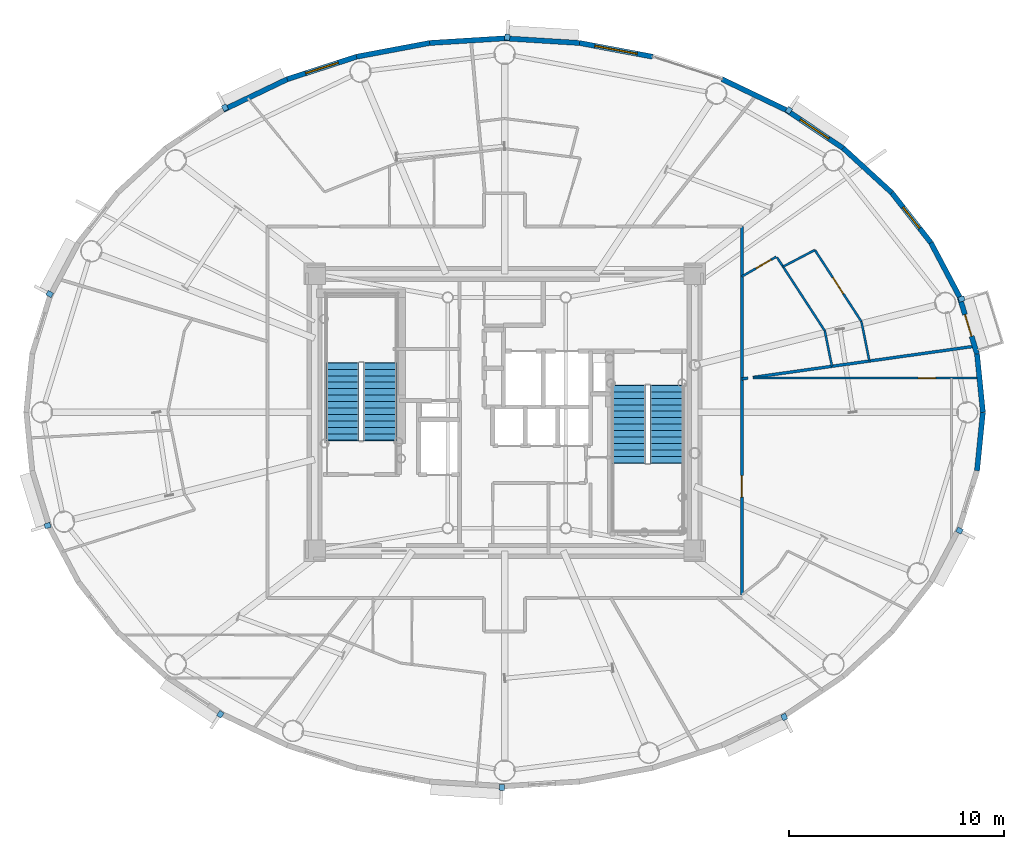
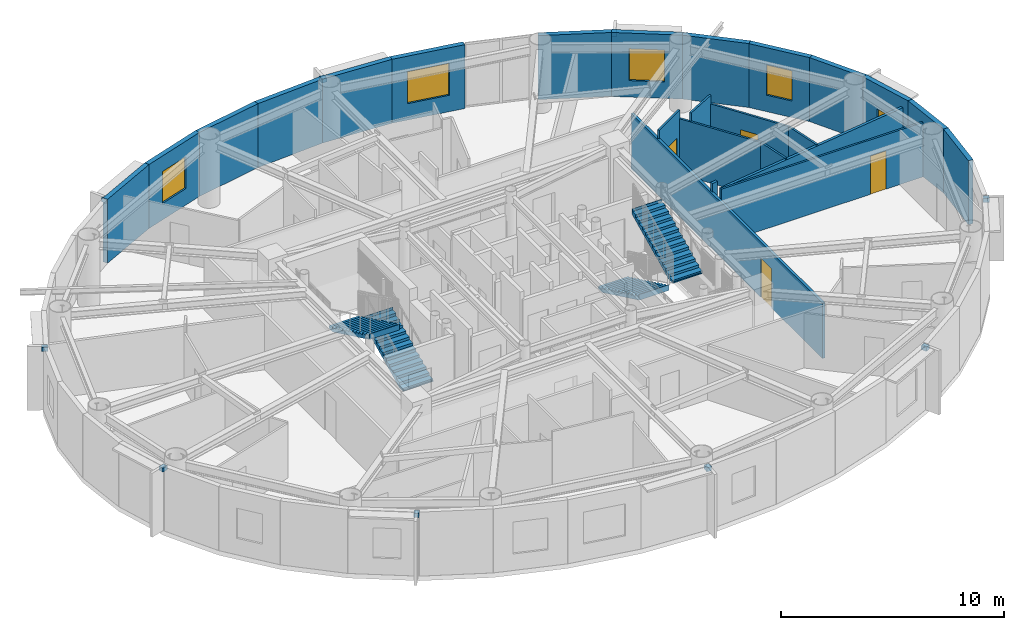
# One storey, part 11 of 18: 24 walls, 10 discrete accessories, 5 doors, 4 stair flights, 4 windows, 9 openings, 2 elements without a shape of their own.
"""IFC4 building model written with IfcOpenShell, lengths in metres."""

from ifc_helpers import new_model, si_unit, direction, frame, frame_2d, origin, origin_2d, place, context, subcontext, project, spatial, polyline, rectangle, outline, extrude, source, transform, mapped, material, layer, layer_set, type_object, element, fill, aggregate, save


model = new_model("IFC4")

# Units and contexts
model_context = context("Model", 3, precision=1e-05, world=origin(), true_north=direction((0.0, 1.0)))
body_context = subcontext(model_context, "Body", "Model", "MODEL_VIEW")
ifc_project = project(units=[si_unit("LENGTHUNIT", "METRE"), si_unit("AREAUNIT", "SQUARE_METRE"), si_unit("VOLUMEUNIT", "CUBIC_METRE"), si_unit("PLANEANGLEUNIT", "RADIAN"), si_unit("MASSUNIT", "GRAM", prefix="KILO")], contexts=[model_context])

# Site, building, storey
site_placement = place(None, origin())
site = spatial("IfcSite", under=ifc_project, at=site_placement, CompositionType="ELEMENT")
building_placement = place(site_placement, origin())
building = spatial("IfcBuilding", under=site, at=building_placement, Name="Linh Dai School and Residence Tower", CompositionType="ELEMENT")
storey_placement = place(building_placement, frame((0.0, 0.0, 273.0)))
storey = spatial("IfcBuildingStorey", under=building, at=storey_placement, Name="L67", CompositionType="ELEMENT", Elevation=273.0)

# Wall
ifc_material_1 = material(Name="Precast Concrete B45 (C35/45)", Category="concrete")
ifc_layer_1 = layer(ifc_material_1, 0.239990234375)
ifc_layer_set_1 = layer_set([ifc_layer_1], Name="Precast Concrete B45 (C35/45)")
wall_type_1 = type_object("IfcWallType", Name="EW-TC-240", PredefinedType="SOLIDWALL", material=ifc_layer_set_1)
wall_1_placement = place(storey_placement, frame((58.001708984375, 29.718994140625, 0.0), z_axis=(0.0, 0.0, 1.0), x_axis=(0.099972526841, -0.99499019788, 0.0)))
element("IfcWall", 1, at=wall_1_placement, inside=storey, type_object=wall_type_1, Name="L67 Terracotta Exterior Wall 01", PredefinedType="SOLIDWALL", context=body_context, shape_type="SweptSolid", body=[
    extrude(rectangle(XDim=2.732666015625, YDim=0.239990234375, at=frame_2d((1.3662109375, 0.0))), origin(), (0.0, 0.0, 1.0), 3.5),
])

# Wall, opening, door
wall_2_placement = place(storey_placement, frame((57.188232421875, 32.372314453125, 0.0), z_axis=(0.0, 0.0, 1.0), x_axis=(0.2931213403, -0.956075248012, 0.0)))
wall_2 = element("IfcWall", 2, at=wall_2_placement, inside=storey, type_object=wall_type_1, Name="L67 Terracotta Exterior Wall 02", PredefinedType="SOLIDWALL", context=body_context, shape_type="SweptSolid", body=[
    extrude(rectangle(XDim=2.775146484375, YDim=0.239990234375, at=frame_2d((1.3876953125, 0.0))), origin(), (0.0, 0.0, 1.0), 3.5),
])
opening_1_placement = place(wall_2_placement, frame((0.862548828125, 0.0, 0.0)))
opening_1 = element("IfcOpeningElement", 3, at=opening_1_placement, cuts=wall_2, Name="Opening BD1", PredefinedType="OPENING", context=body_context, shape_type="SweptSolid", body=[
    extrude(rectangle(XDim=1.050048828125, YDim=2.14990234375, at=origin_2d()), frame((0.52490234375, 0.1298828125, 1.074951171875), z_axis=(0.0, -1.0, 0.0), x_axis=(1.0, 0.0, 0.0)), (0.0, 0.0, 1.0), 0.260009765625),
])
ifc_material_2 = material(Name="Double-Glazed Balcony Door", Category="glass")
door_type_1 = type_object("IfcDoorType", Name="DR-BALC-1050x2150", OperationType="NOTDEFINED", PredefinedType="DOOR", material=ifc_material_2)
shared_shape_1 = source(origin(), body_context, "Body", "SweptSolid", [
    extrude(rectangle(XDim=1.050048828125, YDim=2.14990234375, at=origin_2d()), frame((0.52490234375, 0.02490234375, 1.074951171875), z_axis=(0.0, -1.0, 0.0), x_axis=(1.0, 0.0, 0.0)), (0.0, 0.0, 1.0), 0.050048828125),
])
door_1_placement = place(opening_1_placement, origin())
door_1 = element("IfcDoor", 4, at=door_1_placement, inside=storey, type_object=door_type_1, Name="L67 Glazed Balcony Door 02", OperationType="SINGLE_SWING_RIGHT", OverallHeight=2.14990234375, OverallWidth=1.050048828125, PredefinedType="DOOR", context=body_context, shape_type="MappedRepresentation", body=[
    mapped(shared_shape_1, transform((0.0, 0.0, 0.0), x_axis=(1.0, 0.0, 0.0), y_axis=(0.0, 1.0, 0.0), z_axis=(0.0, 0.0, 1.0), scale=1.0)),
])
fill(opening_1, door_1)

# Wall
wall_3_placement = place(storey_placement, frame((55.853759765625, 34.894775390625, 0.0), z_axis=(0.0, 0.0, 1.0), x_axis=(0.467628269026, -0.883925224218, 0.0)))
element("IfcWall", 5, at=wall_3_placement, inside=storey, type_object=wall_type_1, Name="L67 Terracotta Exterior Wall 03", PredefinedType="SOLIDWALL", context=body_context, shape_type="SweptSolid", body=[
    extrude(rectangle(XDim=2.853759765625, YDim=0.239990234375, at=frame_2d((1.4267578125, 0.0))), origin(), (0.0, 0.0, 1.0), 3.5),
])

# Wall, opening, window
wall_4_placement = place(storey_placement, frame((54.0302734375, 37.224609375, 0.0), z_axis=(0.0, 0.0, 1.0), x_axis=(0.616337186556, -0.787482363275, 0.0)))
wall_4 = element("IfcWall", 6, at=wall_4_placement, inside=storey, type_object=wall_type_1, Name="L67 Terracotta Exterior Wall 04", PredefinedType="SOLIDWALL", context=body_context, shape_type="SweptSolid", body=[
    extrude(rectangle(XDim=2.95849609375, YDim=0.239990234375, at=frame_2d((1.479248046875, 0.0))), origin(), (0.0, 0.0, 1.0), 3.5),
])
opening_2_placement = place(wall_4_placement, frame((0.85400390625, 0.0, 0.89990234375)))
opening_2 = element("IfcOpeningElement", 7, at=opening_2_placement, cuts=wall_4, Name="Opening W3", PredefinedType="OPENING", context=body_context, shape_type="SweptSolid", body=[
    extrude(rectangle(XDim=1.25, YDim=1.64990234375, at=origin_2d()), frame((0.625, 0.1298828125, 0.824951171875), z_axis=(0.0, -1.0, 0.0), x_axis=(1.0, 0.0, 0.0)), (0.0, 0.0, 1.0), 0.260009765625),
])
ifc_material_3 = material(Name="Double Low-E Insulated Glazing", Category="glass")
window_type_1 = type_object("IfcWindowType", Name="WN-RES-1250x1650", PartitioningType="SINGLE_PANEL", PredefinedType="WINDOW", material=ifc_material_3)
shared_shape_2 = source(origin(), body_context, "Body", "SweptSolid", [
    extrude(rectangle(XDim=1.25, YDim=1.64990234375, at=origin_2d()), frame((0.625, 0.030029296875, 0.824951171875), z_axis=(0.0, -1.0, 0.0), x_axis=(1.0, 0.0, 0.0)), (0.0, 0.0, 1.0), 0.06005859375),
])
window_1_placement = place(opening_2_placement, origin())
window_1 = element("IfcWindow", 8, at=window_1_placement, inside=storey, type_object=window_type_1, Name="L67 Exterior Window 04.1", OverallHeight=1.64990234375, OverallWidth=1.25, PartitioningType="SINGLE_PANEL", PredefinedType="WINDOW", context=body_context, shape_type="MappedRepresentation", body=[
    mapped(shared_shape_2, transform((0.0, 0.0, 0.0), x_axis=(1.0, 0.0, 0.0), y_axis=(0.0, 1.0, 0.0), z_axis=(0.0, 0.0, 1.0), scale=1.0)),
])
fill(opening_2, window_1)

# Wall
wall_5_placement = place(storey_placement, frame((51.76220703125, 39.30419921875, 0.0), z_axis=(0.0, 0.0, 1.0), x_axis=(0.737068506972, -0.675818034703, 0.0)))
element("IfcWall", 9, at=wall_5_placement, inside=storey, type_object=wall_type_1, Name="L67 Terracotta Exterior Wall 05", PredefinedType="SOLIDWALL", context=body_context, shape_type="SweptSolid", body=[
    extrude(rectangle(XDim=3.0771484375, YDim=0.239990234375, at=frame_2d((1.53857421875, 0.0))), origin(), (0.0, 0.0, 1.0), 3.5),
])

# Wall, opening, window
wall_6_placement = place(storey_placement, frame((49.1044921875, 41.08154296875, 0.0), z_axis=(0.0, 0.0, 1.0), x_axis=(0.831250592635, -0.55589787933, 0.0)))
wall_6 = element("IfcWall", 10, at=wall_6_placement, inside=storey, type_object=wall_type_1, Name="L67 Terracotta Exterior Wall 06", PredefinedType="SOLIDWALL", context=body_context, shape_type="SweptSolid", body=[
    extrude(rectangle(XDim=3.197265625, YDim=0.239990234375, at=frame_2d((1.5986328125, 0.0))), origin(), (0.0, 0.0, 1.0), 3.5),
])
opening_3_placement = place(wall_6_placement, frame((0.79833984375, 0.0, 0.89990234375)))
opening_3 = element("IfcOpeningElement", 11, at=opening_3_placement, cuts=wall_6, Name="Opening W2", PredefinedType="OPENING", context=body_context, shape_type="SweptSolid", body=[
    extrude(rectangle(XDim=1.60009765625, YDim=1.75, at=origin_2d()), frame((0.800048828125, 0.1298828125, 0.875), z_axis=(0.0, -1.0, 0.0), x_axis=(1.0, 0.0, 0.0)), (0.0, 0.0, 1.0), 0.260009765625),
])
window_type_2 = type_object("IfcWindowType", Name="WN-RES-1600x1750", PartitioningType="DOUBLE_PANEL_VERTICAL", PredefinedType="WINDOW", material=ifc_material_3)
shared_shape_3 = source(origin(), body_context, "Body", "SweptSolid", [
    extrude(rectangle(XDim=1.60009765625, YDim=1.75, at=origin_2d()), frame((0.800048828125, 0.030029296875, 0.875), z_axis=(0.0, -1.0, 0.0), x_axis=(1.0, 0.0, 0.0)), (0.0, 0.0, 1.0), 0.06005859375),
])
window_2_placement = place(opening_3_placement, origin())
window_2 = element("IfcWindow", 12, at=window_2_placement, inside=storey, type_object=window_type_2, Name="L67 Exterior Window 06.1", OverallHeight=1.75, OverallWidth=1.60009765625, PartitioningType="DOUBLE_PANEL_VERTICAL", PredefinedType="WINDOW", context=body_context, shape_type="MappedRepresentation", body=[
    mapped(shared_shape_3, transform((0.0, 0.0, 0.0), x_axis=(1.0, 0.0, 0.0), y_axis=(0.0, 1.0, 0.0), z_axis=(0.0, 0.0, 1.0), scale=1.0)),
])
fill(opening_3, window_2)

# Wall
wall_7_placement = place(storey_placement, frame((46.123046875, 42.51220703125, 0.0), z_axis=(0.0, 0.0, 1.0), x_axis=(0.901573741254, -0.43262546051, 0.0)))
element("IfcWall", 13, at=wall_7_placement, inside=storey, type_object=wall_type_1, Name="L67 Terracotta Exterior Wall 07", PredefinedType="SOLIDWALL", context=body_context, shape_type="SweptSolid", body=[
    extrude(rectangle(XDim=3.306884765625, YDim=0.239990234375, at=frame_2d((1.6533203125, 0.0))), origin(), (0.0, 0.0, 1.0), 3.5),
])

# Wall, opening, window
wall_8_placement = place(storey_placement, frame((39.48876953125, 44.199951171875, 0.0), z_axis=(0.0, 0.0, 1.0), x_axis=(0.982782655757, -0.184765395959, 0.0)))
wall_8 = element("IfcWall", 14, at=wall_8_placement, inside=storey, type_object=wall_type_1, Name="L67 Terracotta Exterior Wall 09", PredefinedType="SOLIDWALL", context=body_context, shape_type="SweptSolid", body=[
    extrude(rectangle(XDim=3.4619140625, YDim=0.239990234375, at=frame_2d((1.73095703125, 0.0))), origin(), (0.0, 0.0, 1.0), 3.5),
])
opening_4_placement = place(wall_8_placement, frame((0.73095703125, 0.0, 0.89990234375)))
opening_4 = element("IfcOpeningElement", 15, at=opening_4_placement, cuts=wall_8, Name="Opening W1", PredefinedType="OPENING", context=body_context, shape_type="SweptSolid", body=[
    extrude(rectangle(XDim=2.0, YDim=1.75, at=origin_2d()), frame((1.0, 0.1298828125, 0.875), z_axis=(0.0, -1.0, 0.0), x_axis=(1.0, 0.0, 0.0)), (0.0, 0.0, 1.0), 0.260009765625),
])
window_type_3 = type_object("IfcWindowType", Name="WN-RES-2000x1750", PartitioningType="DOUBLE_PANEL_VERTICAL", PredefinedType="WINDOW", material=ifc_material_3)
shared_shape_4 = source(origin(), body_context, "Body", "SweptSolid", [
    extrude(rectangle(XDim=2.0, YDim=1.75, at=origin_2d()), frame((1.0, 0.030029296875, 0.875), z_axis=(0.0, -1.0, 0.0), x_axis=(1.0, 0.0, 0.0)), (0.0, 0.0, 1.0), 0.06005859375),
])
window_3_placement = place(opening_4_placement, origin())
window_3 = element("IfcWindow", 16, at=window_3_placement, inside=storey, type_object=window_type_3, Name="L67 Exterior Window 09.1", OverallHeight=1.75, OverallWidth=2.0, PartitioningType="DOUBLE_PANEL_VERTICAL", PredefinedType="WINDOW", context=body_context, shape_type="MappedRepresentation", body=[
    mapped(shared_shape_4, transform((0.0, 0.0, 0.0), x_axis=(1.0, 0.0, 0.0), y_axis=(0.0, 1.0, 0.0), z_axis=(0.0, 0.0, 1.0), scale=1.0)),
])
fill(opening_4, window_3)

# Walls
for number, where, z_axis, x_axis, name in (
    (17, (36.0, 44.4150390625, 0.0), (0.0, 0.0, 1.0), (0.998104946479, -0.061534671648, 0.0), "L67 Terracotta Exterior Wall 10"),
    (18, (32.51123046875, 44.199951171875, 0.0), (0.0, 0.0, 1.0), (0.998104946479, 0.061534671648, 0.0), "L67 Terracotta Exterior Wall 11"),
):
    element("IfcWall", number, at=place(storey_placement, frame(where, z_axis=z_axis, x_axis=x_axis)), inside=storey, type_object=wall_type_1, Name=name, PredefinedType="SOLIDWALL", context=body_context, shape_type="SweptSolid", body=[
        extrude(rectangle(XDim=3.495361328125, YDim=0.239990234375, at=frame_2d((1.74755859375, 0.0))), origin(), (0.0, 0.0, 1.0), 3.5),
    ])
wall_9_placement = place(storey_placement, frame((29.10888671875, 43.560302734375, 0.0), z_axis=(0.0, 0.0, 1.0), x_axis=(0.982782655757, 0.184765395959, 0.0)))
element("IfcWall", 19, at=wall_9_placement, inside=storey, type_object=wall_type_1, Name="L67 Terracotta Exterior Wall 12", PredefinedType="SOLIDWALL", context=body_context, shape_type="SweptSolid", body=[
    extrude(rectangle(XDim=3.4619140625, YDim=0.239990234375, at=frame_2d((1.73095703125, 0.0))), origin(), (0.0, 0.0, 1.0), 3.5),
])

# Wall, opening, window
wall_10_placement = place(storey_placement, frame((25.876953125, 42.51220703125, 0.0), z_axis=(0.0, 0.0, 1.0), x_axis=(0.95123136723, 0.308478339592, 0.0)))
wall_10 = element("IfcWall", 20, at=wall_10_placement, inside=storey, type_object=wall_type_1, Name="L67 Terracotta Exterior Wall 13", PredefinedType="SOLIDWALL", context=body_context, shape_type="SweptSolid", body=[
    extrude(rectangle(XDim=3.397705078125, YDim=0.239990234375, at=frame_2d((1.69873046875, 0.0))), origin(), (0.0, 0.0, 1.0), 3.5),
])
opening_5_placement = place(wall_10_placement, frame((0.89892578125, 0.0, 0.89990234375)))
opening_5 = element("IfcOpeningElement", 21, at=opening_5_placement, cuts=wall_10, Name="Opening W2", PredefinedType="OPENING", context=body_context, shape_type="SweptSolid", body=[
    extrude(rectangle(XDim=1.60009765625, YDim=1.75, at=origin_2d()), frame((0.800048828125, 0.1298828125, 0.875), z_axis=(0.0, -1.0, 0.0), x_axis=(1.0, 0.0, 0.0)), (0.0, 0.0, 1.0), 0.260009765625),
])
window_4_placement = place(opening_5_placement, origin())
window_4 = element("IfcWindow", 22, at=window_4_placement, inside=storey, type_object=window_type_2, Name="L67 Exterior Window 13.1", OverallHeight=1.75, OverallWidth=1.60009765625, PartitioningType="DOUBLE_PANEL_VERTICAL", PredefinedType="WINDOW", context=body_context, shape_type="MappedRepresentation", body=[
    mapped(shared_shape_3, transform((0.0, 0.0, 0.0), x_axis=(1.0, 0.0, 0.0), y_axis=(0.0, 1.0, 0.0), z_axis=(0.0, 0.0, 1.0), scale=1.0)),
])
fill(opening_5, window_4)

# Walls
wall_11_placement = place(storey_placement, frame((22.8955078125, 41.08154296875, 0.0), z_axis=(0.0, 0.0, 1.0), x_axis=(0.901573741254, 0.43262546051, 0.0)))
element("IfcWall", 23, at=wall_11_placement, inside=storey, type_object=wall_type_1, Name="L67 Terracotta Exterior Wall 14", PredefinedType="SOLIDWALL", context=body_context, shape_type="SweptSolid", body=[
    extrude(rectangle(XDim=3.306884765625, YDim=0.239990234375, at=frame_2d((1.6533203125, 0.0))), origin(), (0.0, 0.0, 1.0), 3.5),
])
wall_12_placement = place(storey_placement, frame((58.27490234375, 27.0, 0.0), z_axis=(0.0, 0.0, 1.0), x_axis=(-0.099972526841, -0.99499019788, 0.0)))
element("IfcWall", 24, at=wall_12_placement, inside=storey, type_object=wall_type_1, Name="L67 Terracotta Exterior Wall 40", PredefinedType="SOLIDWALL", context=body_context, shape_type="SweptSolid", body=[
    extrude(rectangle(XDim=2.732666015625, YDim=0.239990234375, at=frame_2d((1.3662109375, 0.0))), origin(), (0.0, 0.0, 1.0), 3.5),
])

# Wall, opening, door
ifc_material_4 = material(Name="Autoclaved Aerated Concrete Blockwork", Category="masonry")
ifc_layer_2 = layer(ifc_material_4, 0.135009765625)
ifc_layer_set_2 = layer_set([ifc_layer_2], Name="Autoclaved Aerated Concrete Blockwork")
wall_type_2 = type_object("IfcWallType", Name="IW-CORR-135-EI90", PredefinedType="PARTITIONING", material=ifc_layer_set_2)
wall_13_placement = place(storey_placement, frame((47.050048828125, 18.502685546875, 0.0), z_axis=(0.0, 0.0, 1.0), x_axis=(0.0, 1.0, 0.0)))
wall_13 = element("IfcWall", 25, at=wall_13_placement, inside=storey, type_object=wall_type_2, Name="L67 Interior Partition Wall 076", PredefinedType="PARTITIONING", context=body_context, shape_type="SweptSolid", body=[
    extrude(rectangle(XDim=17.147216796875, YDim=0.135009765625, at=frame_2d((8.57373046875, 0.0))), origin(), (0.0, 0.0, 1.0), 3.034912109375),
])
opening_6_placement = place(wall_13_placement, frame((4.545166015625, 0.0, 0.0)))
opening_6 = element("IfcOpeningElement", 26, at=opening_6_placement, cuts=wall_13, Name="Opening D03", PredefinedType="OPENING", context=body_context, shape_type="SweptSolid", body=[
    extrude(rectangle(XDim=1.0, YDim=2.14990234375, at=origin_2d()), frame((0.5, 0.07763671875, 1.074951171875), z_axis=(0.0, -1.0, 0.0), x_axis=(1.0, 0.0, 0.0)), (0.0, 0.0, 1.0), 0.155029296875),
])
ifc_material_5 = material(Name="Fire-Rated Solid Timber Entrance Door", Category="wood")
door_type_2 = type_object("IfcDoorType", Name="DR-FLAT-1000x2150-FD60S", OperationType="NOTDEFINED", PredefinedType="DOOR", material=ifc_material_5)
shared_shape_5 = source(origin(), body_context, "Body", "SweptSolid", [
    extrude(rectangle(XDim=1.0, YDim=2.14990234375, at=origin_2d()), frame((0.5, 0.02490234375, 1.074951171875), z_axis=(0.0, -1.0, 0.0), x_axis=(1.0, 0.0, 0.0)), (0.0, 0.0, 1.0), 0.050048828125),
])
door_2_placement = place(opening_6_placement, origin())
door_2 = element("IfcDoor", 27, at=door_2_placement, inside=storey, type_object=door_type_2, Name="L67 U6706 Apartment Entrance Door", OperationType="SINGLE_SWING_RIGHT", OverallHeight=2.14990234375, OverallWidth=1.0, PredefinedType="DOOR", context=body_context, shape_type="MappedRepresentation", body=[
    mapped(shared_shape_5, transform((0.0, 0.0, 0.0), x_axis=(1.0, 0.0, 0.0), y_axis=(0.0, 1.0, 0.0), z_axis=(0.0, 0.0, 1.0), scale=1.0)),
])
fill(opening_6, door_2)

# Walls
wall_14_placement = place(storey_placement, frame((47.050048828125, 28.552978515625, 0.0), z_axis=(0.0, 0.0, 1.0), x_axis=(0.990308552968, 0.138884736087, 0.0)))
element("IfcWall", 28, at=wall_14_placement, inside=storey, type_object=wall_type_2, Name="L67 Interior Partition Wall 078", PredefinedType="PARTITIONING", context=body_context, shape_type="SweptSolid", body=[
    extrude(rectangle(XDim=0.282958984375, YDim=0.135009765625, at=frame_2d((0.1416015625, 0.0))), origin(), (0.0, 0.0, 1.0), 3.5),
])
wall_15_placement = place(storey_placement, frame((47.56201171875, 28.625, 0.0), z_axis=(0.0, 0.0, 1.0), x_axis=(0.990269276455, 0.139164507362, 0.0)))
element("IfcWall", 29, at=wall_15_placement, inside=storey, type_object=wall_type_2, Name="L67 Interior Partition Wall 080", PredefinedType="PARTITIONING", context=body_context, shape_type="SweptSolid", body=[
    extrude(rectangle(XDim=10.4365234375, YDim=0.135009765625, at=frame_2d((5.21826171875, 0.0))), origin(), (0.0, 0.0, 1.0), 2.985107421875),
])

# Wall, opening, door
ifc_material_6 = material(Name="Gypsum Plasterboard Acoustic Stud Partition", Category="masonry")
ifc_layer_3 = layer(ifc_material_6, 0.10009765625)
ifc_layer_set_3 = layer_set([ifc_layer_3], Name="Gypsum Plasterboard Acoustic Stud Partition")
wall_type_3 = type_object("IfcWallType", Name="IW-UNIT-100", PredefinedType="PARTITIONING", material=ifc_layer_set_3)
wall_16_placement = place(storey_placement, frame((47.050048828125, 33.32568359375, 0.0), z_axis=(0.0, 0.0, 1.0), x_axis=(0.867827775188, 0.496865125172, 0.0)))
wall_16 = element("IfcWall", 30, at=wall_16_placement, inside=storey, type_object=wall_type_3, Name="L67 Interior Partition Wall 079", PredefinedType="PARTITIONING", context=body_context, shape_type="SweptSolid", body=[
    extrude(rectangle(XDim=1.845947265625, YDim=0.10009765625, at=frame_2d((0.9228515625, 0.0))), origin(), (0.0, 0.0, 1.0), 3.5),
])
opening_7_placement = place(wall_16_placement, frame((0.748779296875, 0.0, 0.0)))
opening_7 = element("IfcOpeningElement", 31, at=opening_7_placement, cuts=wall_16, Name="Opening D06", PredefinedType="OPENING", context=body_context, shape_type="SweptSolid", body=[
    extrude(rectangle(XDim=0.820068359375, YDim=2.10009765625, at=origin_2d()), frame((0.41015625, 0.06005859375, 1.050048828125), z_axis=(0.0, -1.0, 0.0), x_axis=(1.0, 0.0, 0.0)), (0.0, 0.0, 1.0), 0.1201171875),
])
ifc_material_7 = material(Name="Moisture-Resistant Timber Bathroom Door", Category="wood")
door_type_3 = type_object("IfcDoorType", Name="DR-WET-820x2100", OperationType="NOTDEFINED", PredefinedType="DOOR", material=ifc_material_7)
shared_shape_6 = source(origin(), body_context, "Body", "SweptSolid", [
    extrude(rectangle(XDim=0.820068359375, YDim=2.10009765625, at=origin_2d()), frame((0.41015625, 0.02490234375, 1.050048828125), z_axis=(0.0, -1.0, 0.0), x_axis=(1.0, 0.0, 0.0)), (0.0, 0.0, 1.0), 0.050048828125),
])
door_3_placement = place(opening_7_placement, origin())
door_3 = element("IfcDoor", 32, at=door_3_placement, inside=storey, type_object=door_type_3, Name="L67 Apartment U6701 Bathroom Door", OperationType="SINGLE_SWING_RIGHT", OverallHeight=2.10009765625, OverallWidth=0.820068359375, PredefinedType="DOOR", context=body_context, shape_type="MappedRepresentation", body=[
    mapped(shared_shape_6, transform((0.0, 0.0, 0.0), x_axis=(1.0, 0.0, 0.0), y_axis=(0.0, 1.0, 0.0), z_axis=(0.0, 0.0, 1.0), scale=1.0)),
])
fill(opening_7, door_3)

wall_17_placement = place(storey_placement, frame((47.564453125, 28.59228515625, 0.0), z_axis=(0.0, 0.0, 1.0), x_axis=(1.0, 0.0, 0.0)))
wall_17 = element("IfcWall", 33, at=wall_17_placement, inside=storey, type_object=wall_type_3, Name="L67 Interior Partition Wall 081", PredefinedType="PARTITIONING", context=body_context, shape_type="SweptSolid", body=[
    extrude(rectangle(XDim=10.555419921875, YDim=0.10009765625, at=frame_2d((5.27783203125, 0.0))), origin(), (0.0, 0.0, 1.0), 2.985107421875),
])
opening_8_placement = place(wall_17_placement, frame((7.69482421875, 0.0, 0.0)))
opening_8 = element("IfcOpeningElement", 34, at=opening_8_placement, cuts=wall_17, Name="Opening D06", PredefinedType="OPENING", context=body_context, shape_type="SweptSolid", body=[
    extrude(rectangle(XDim=0.820068359375, YDim=2.10009765625, at=origin_2d()), frame((0.41015625, 0.06005859375, 1.050048828125), z_axis=(0.0, -1.0, 0.0), x_axis=(1.0, 0.0, 0.0)), (0.0, 0.0, 1.0), 0.1201171875),
])
door_4_placement = place(opening_8_placement, origin())
door_4 = element("IfcDoor", 35, at=door_4_placement, inside=storey, type_object=door_type_3, Name="L67 Apartment U6706 Bathroom 1 Door", OperationType="SINGLE_SWING_RIGHT", OverallHeight=2.10009765625, OverallWidth=0.820068359375, PredefinedType="DOOR", context=body_context, shape_type="MappedRepresentation", body=[
    mapped(shared_shape_6, transform((0.0, 0.0, 0.0), x_axis=(1.0, 0.0, 0.0), y_axis=(0.0, 1.0, 0.0), z_axis=(0.0, 0.0, 1.0), scale=1.0)),
])
fill(opening_8, door_4)

# Walls
wall_18_placement = place(storey_placement, frame((48.685302734375, 34.216796875, 0.0), z_axis=(0.0, 0.0, 1.0), x_axis=(0.54540855562, -0.8381703332, 0.0)))
element("IfcWall", 36, at=wall_18_placement, inside=storey, type_object=wall_type_3, Name="L67 Interior Partition Wall 083", PredefinedType="PARTITIONING", context=body_context, shape_type="SweptSolid", body=[
    extrude(rectangle(XDim=4.083740234375, YDim=0.10009765625, at=frame_2d((2.0419921875, 0.0))), origin(), (0.0, 0.0, 1.0), 3.034912109375),
])
wall_19_placement = place(storey_placement, frame((48.968017578125, 33.782470703125, 0.0), z_axis=(0.0, 0.0, 1.0), x_axis=(0.886102824681, 0.463488709779, 0.0)))
element("IfcWall", 37, at=wall_19_placement, inside=storey, type_object=wall_type_3, Name="L67 Interior Partition Wall 084", PredefinedType="PARTITIONING", context=body_context, shape_type="SweptSolid", body=[
    extrude(rectangle(XDim=1.67236328125, YDim=0.10009765625, at=frame_2d((0.836181640625, 0.0))), origin(), (0.0, 0.0, 1.0), 3.5),
])

# Wall, opening, door
wall_20_placement = place(storey_placement, frame((50.449951171875, 34.5576171875, 0.0), z_axis=(0.0, 0.0, 1.0), x_axis=(0.545448348881, -0.838144437853, 0.0)))
wall_20 = element("IfcWall", 38, at=wall_20_placement, inside=storey, type_object=wall_type_3, Name="L67 Interior Partition Wall 086", PredefinedType="PARTITIONING", context=body_context, shape_type="SweptSolid", body=[
    extrude(rectangle(XDim=3.972900390625, YDim=0.10009765625, at=frame_2d((1.986328125, 0.0))), origin(), (0.0, 0.0, 1.0), 3.034912109375),
])
opening_9_placement = place(wall_20_placement, frame((1.536376953125, 0.0, 0.0)))
opening_9 = element("IfcOpeningElement", 39, at=opening_9_placement, cuts=wall_20, Name="Opening D05", PredefinedType="OPENING", context=body_context, shape_type="SweptSolid", body=[
    extrude(rectangle(XDim=0.89990234375, YDim=2.10009765625, at=origin_2d()), frame((0.449951171875, 0.06005859375, 1.050048828125), z_axis=(0.0, -1.0, 0.0), x_axis=(1.0, 0.0, 0.0)), (0.0, 0.0, 1.0), 0.1201171875),
])
ifc_material_8 = material(Name="Engineered Timber Internal Door", Category="wood")
door_type_4 = type_object("IfcDoorType", Name="DR-INT-900x2100", OperationType="NOTDEFINED", PredefinedType="DOOR", material=ifc_material_8)
shared_shape_7 = source(origin(), body_context, "Body", "SweptSolid", [
    extrude(rectangle(XDim=0.89990234375, YDim=2.10009765625, at=origin_2d()), frame((0.449951171875, 0.02490234375, 1.050048828125), z_axis=(0.0, -1.0, 0.0), x_axis=(1.0, 0.0, 0.0)), (0.0, 0.0, 1.0), 0.050048828125),
])
door_5_placement = place(opening_9_placement, origin())
door_5 = element("IfcDoor", 40, at=door_5_placement, inside=storey, type_object=door_type_4, Name="L67 Apartment U6701 Kitchen Door", OperationType="SINGLE_SWING_LEFT", OverallHeight=2.10009765625, OverallWidth=0.89990234375, PredefinedType="DOOR", context=body_context, shape_type="MappedRepresentation", body=[
    mapped(shared_shape_7, transform((0.0, 0.0, 0.0), x_axis=(1.0, 0.0, 0.0), y_axis=(0.0, 1.0, 0.0), z_axis=(0.0, 0.0, 1.0), scale=1.0)),
])
fill(opening_9, door_5)

# Walls
wall_21_placement = place(storey_placement, frame((50.91259765625, 30.794189453125, 0.0), z_axis=(0.0, 0.0, 1.0), x_axis=(0.198233557602, -0.980154812588, 0.0)))
element("IfcWall", 41, at=wall_21_placement, inside=storey, type_object=wall_type_3, Name="L67 Interior Partition Wall 087", PredefinedType="PARTITIONING", context=body_context, shape_type="SweptSolid", body=[
    extrude(rectangle(XDim=1.684814453125, YDim=0.10009765625, at=frame_2d((0.84228515625, 0.0))), origin(), (0.0, 0.0, 1.0), 3.034912109375),
])
wall_22_placement = place(storey_placement, frame((52.616943359375, 31.227783203125, 0.0), z_axis=(0.0, 0.0, 1.0), x_axis=(0.198191443997, -0.980163329005, 0.0)))
element("IfcWall", 42, at=wall_22_placement, inside=storey, type_object=wall_type_3, Name="L67 Interior Partition Wall 088", PredefinedType="PARTITIONING", context=body_context, shape_type="SweptSolid", body=[
    extrude(rectangle(XDim=1.87744140625, YDim=0.10009765625, at=frame_2d((0.938720703125, 0.0))), origin(), (0.0, 0.0, 1.0), 3.034912109375),
])

# Stair, stair flights
ifc_material_9 = material(Name="Concrete B45 (C35/45)", Category="concrete")
stair_type = type_object("IfcStairType", Name="ST-DOG-1550-R1442", PredefinedType="HALF_TURN_STAIR", material=ifc_material_9)
stair_1_placement = place(storey_placement, origin())
stair_1 = element("IfcStair", 43, at=stair_1_placement, inside=storey, type_object=stair_type, Name="L67 Core Smokeproof Exit Stair ST1", PredefinedType="HALF_TURN_STAIR")
stair_flight_type = type_object("IfcStairFlightType", Name="STF-STR-1550-R1442", PredefinedType="STRAIGHT", material=ifc_material_9)
shared_shape_8 = source(origin(), body_context, "Body", "SweptSolid", [
    extrude(outline(polyline([(-0.02490234375, 0.0), (-0.02490234375, 0.06005859375), (0.0, 0.06005859375), (0.0, 0.144287109375), (0.300048828125, 0.144287109375), (0.300048828125, 0.28857421875), (0.60009765625, 0.28857421875), (0.60009765625, 0.4326171875), (0.89990234375, 0.4326171875), (0.89990234375, 0.576904296875), (1.199951171875, 0.576904296875), (1.199951171875, 0.72119140625), (1.5, 0.72119140625), (1.5, 0.865478515625), (1.800048828125, 0.865478515625), (1.800048828125, 1.009521484375), (2.10009765625, 1.009521484375), (2.10009765625, 1.15380859375), (2.39990234375, 1.15380859375), (2.39990234375, 1.298095703125), (2.699951171875, 1.298095703125), (2.699951171875, 1.4423828125), (3.0, 1.4423828125), (3.0, 1.58642578125), (3.300048828125, 1.58642578125), (3.300048828125, 1.730712890625), (3.60009765625, 1.730712890625), (3.60009765625, 1.875), (3.625, 1.875), (3.625, 1.564453125), (3.60009765625, 1.564453125), (0.345947265625, 0.0), (-0.02490234375, 0.0)])), frame((0.0, 0.77490234375, 0.0), z_axis=(0.0, -1.0, 0.0), x_axis=(1.0, 0.0, 0.0)), (0.0, 0.0, 1.0), 1.550048828125),
])
stair_flight_1_placement = place(storey_placement, frame((30.205078125, 25.699951171875, 0.0), z_axis=(0.0, 0.0, 1.0), x_axis=(0.0, 1.0, 0.0)))
stair_flight_1 = element("IfcStairFlight", 44, at=stair_flight_1_placement, type_object=stair_flight_type, Name="ST1 flight 1", NumberOfRisers=13, NumberOfTreads=12, PredefinedType="STRAIGHT", RiserHeight=0.144230769, TreadLength=0.3, context=body_context, shape_type="MappedRepresentation", body=[
    mapped(shared_shape_8, transform((0.0, 0.0, 0.0), x_axis=(1.0, 0.0, 0.0), y_axis=(0.0, 1.0, 0.0), z_axis=(0.0, 0.0, 1.0), scale=1.0)),
])
stair_flight_2_placement = place(storey_placement, frame((28.455078125, 29.300048828125, 1.875), z_axis=(0.0, 0.0, 1.0), x_axis=(0.0, -1.0, 0.0)))
stair_flight_2 = element("IfcStairFlight", 45, at=stair_flight_2_placement, type_object=stair_flight_type, Name="ST1 flight 2", NumberOfRisers=13, NumberOfTreads=12, PredefinedType="STRAIGHT", RiserHeight=0.144230769, TreadLength=0.3, context=body_context, shape_type="MappedRepresentation", body=[
    mapped(shared_shape_8, transform((0.0, 0.0, 0.0), x_axis=(1.0, 0.0, 0.0), y_axis=(0.0, 1.0, 0.0), z_axis=(0.0, 0.0, 1.0), scale=1.0)),
])
aggregate(stair_1, [stair_flight_1, stair_flight_2])

stair_2_placement = place(storey_placement, origin())
stair_2 = element("IfcStair", 46, at=stair_2_placement, inside=storey, type_object=stair_type, Name="L67 Core Smokeproof Exit Stair ST2", PredefinedType="HALF_TURN_STAIR")
stair_flight_3_placement = place(storey_placement, frame((41.794921875, 28.25, 0.0), z_axis=(0.0, 0.0, 1.0), x_axis=(0.0, -1.0, 0.0)))
stair_flight_3 = element("IfcStairFlight", 47, at=stair_flight_3_placement, type_object=stair_flight_type, Name="ST2 flight 1", NumberOfRisers=13, NumberOfTreads=12, PredefinedType="STRAIGHT", RiserHeight=0.144230769, TreadLength=0.3, context=body_context, shape_type="MappedRepresentation", body=[
    mapped(shared_shape_8, transform((0.0, 0.0, 0.0), x_axis=(1.0, 0.0, 0.0), y_axis=(0.0, 1.0, 0.0), z_axis=(0.0, 0.0, 1.0), scale=1.0)),
])
stair_flight_4_placement = place(storey_placement, frame((43.544921875, 24.64990234375, 1.875), z_axis=(0.0, 0.0, 1.0), x_axis=(0.0, 1.0, 0.0)))
stair_flight_4 = element("IfcStairFlight", 48, at=stair_flight_4_placement, type_object=stair_flight_type, Name="ST2 flight 2", NumberOfRisers=13, NumberOfTreads=12, PredefinedType="STRAIGHT", RiserHeight=0.144230769, TreadLength=0.3, context=body_context, shape_type="MappedRepresentation", body=[
    mapped(shared_shape_8, transform((0.0, 0.0, 0.0), x_axis=(1.0, 0.0, 0.0), y_axis=(0.0, 1.0, 0.0), z_axis=(0.0, 0.0, 1.0), scale=1.0)),
])
aggregate(stair_2, [stair_flight_3, stair_flight_4])

# Discrete accessories
ifc_material_10 = material(Name="Structural Steel S355JR", Category="steel")
discrete_accessory_type = type_object("IfcDiscreteAccessoryType", Name="ACC-BRK-S355", PredefinedType="BRACKET", material=ifc_material_10)
shared_shape_9 = source(origin(), body_context, "Body", "SweptSolid", [
    extrude(rectangle(XDim=0.280029296875, YDim=0.239990234375, at=origin_2d()), origin(), (0.0, 0.0, 1.0), 0.219970703125),
])
for number, where, z_axis, x_axis, name in (
    (49, (57.28076171875, 32.275146484375, 3.25), (0.0, 0.0, 1.0), (0.956069236934, 0.293140945944, 0.0), "L67 Facade Frame Anchor Bracket 02"),
    (50, (49.23779296875, 41.064697265625, 3.25), (0.0, 0.0, 1.0), (0.555907926874, 0.831243873264, 0.0), "L67 Facade Frame Anchor Bracket 06"),
    (51, (36.12353515625, 44.467529296875, 3.25), (0.0, 0.0, 1.0), (0.061509965157, 0.998106469364, 0.0), "L67 Facade Frame Anchor Bracket 10"),
    (52, (22.9775390625, 41.1875, 3.25), (0.0, 0.0, 1.0), (-0.432611916456, 0.901580240323, 0.0), "L67 Facade Frame Anchor Bracket 14"),
    (53, (14.81494140625, 32.50634765625, 3.25), (0.0, 0.0, 1.0), (-0.883938310975, 0.467603531201, 0.0), "L67 Facade Frame Anchor Bracket 18"),
    (54, (14.71923828125, 21.724853515625, 3.25), (0.0, 0.0, 1.0), (-0.956069236934, -0.293140945944, 0.0), "L67 Facade Frame Anchor Bracket 22"),
    (55, (22.76220703125, 12.935302734375, 3.25), (0.0, 0.0, 1.0), (-0.555905765624, -0.831245318631, 0.0), "L67 Facade Frame Anchor Bracket 26"),
    (56, (35.87646484375, 9.532470703125, 3.25), (0.0, 0.0, 1.0), (-0.061509965157, -0.998106469364, 0.0), "L67 Facade Frame Anchor Bracket 30"),
    (57, (49.0224609375, 12.8125, 3.25), (0.0, 0.0, 1.0), (0.432611916456, -0.901580240323, 0.0), "L67 Facade Frame Anchor Bracket 34"),
    (58, (57.18505859375, 21.49365234375, 3.25), (0.0, 0.0, 1.0), (0.883938310975, -0.467603531201, 0.0), "L67 Facade Frame Anchor Bracket 38"),
):
    element("IfcDiscreteAccessory", number, at=place(storey_placement, frame(where, z_axis=z_axis, x_axis=x_axis)), inside=storey, type_object=discrete_accessory_type, Name=name, PredefinedType="BRACKET", context=body_context, shape_type="MappedRepresentation", body=[
        mapped(shared_shape_9, transform((0.0, 0.0, 0.0), x_axis=(1.0, 0.0, 0.0), y_axis=(0.0, 1.0, 0.0), z_axis=(0.0, 0.0, 1.0), scale=1.0)),
    ])

save(model, "model.ifc")
